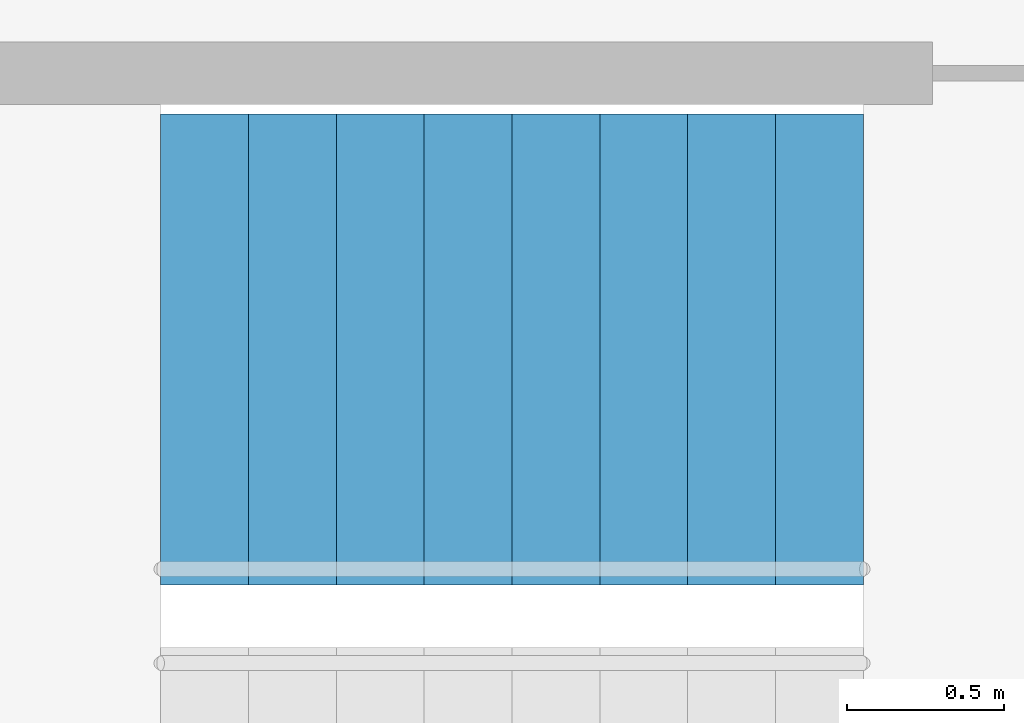
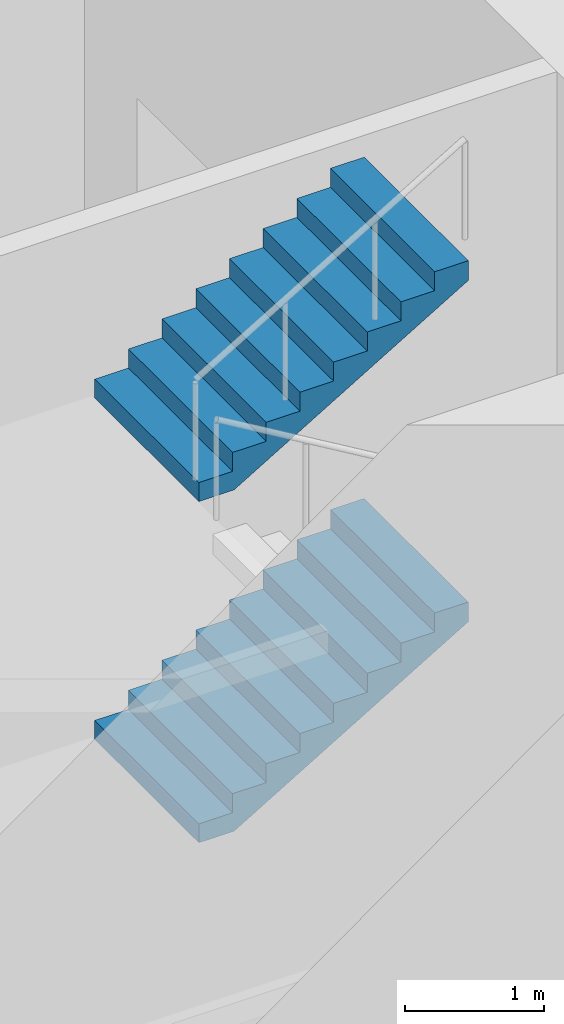
# One storey, part 18 of 21: 2 stair flights, 1 element without a shape of its own.
"""IFC4 building model written with IfcOpenShell, lengths in metres."""

from ifc_helpers import new_model, si_unit, direction, frame, origin, place, context, subcontext, project, spatial, triangles, material, type_object, element, aggregate, save


model = new_model("IFC4")

# Units and contexts
model_context = context("Model", 3, precision=1e-05, world=origin(), true_north=direction((0.0, 1.0)))
body_context = subcontext(model_context, "Body", "Model", "MODEL_VIEW")
ifc_project = project(units=[si_unit("LENGTHUNIT", "METRE"), si_unit("AREAUNIT", "SQUARE_METRE"), si_unit("VOLUMEUNIT", "CUBIC_METRE"), si_unit("PLANEANGLEUNIT", "RADIAN"), si_unit("MASSUNIT", "GRAM", prefix="KILO")], contexts=[model_context])

# Site, building, storey
site_placement = place(None, origin())
site = spatial("IfcSite", under=ifc_project, at=site_placement, CompositionType="ELEMENT")
building_placement = place(site_placement, origin())
building = spatial("IfcBuilding", under=site, at=building_placement, Name="Lantaw Convention Tower", CompositionType="ELEMENT")
storey_placement = place(building_placement, frame((0.0, 0.0, 111.39990234375)))
storey = spatial("IfcBuildingStorey", under=building, at=storey_placement, Name="L26", CompositionType="ELEMENT", Elevation=111.39990234375)

# Stair, stair flights
ifc_material = material(Name="Concrete C35/45", Category="concrete")
stair_type = type_object("IfcStairType", Name="Exit stair 1500 riser 166.67 in 4 flights", PredefinedType="HALF_TURN_STAIR", material=ifc_material)
stair_placement = place(storey_placement, origin())
stair = element("IfcStair", 1, at=stair_placement, inside=storey, type_object=stair_type, Name="Exit stair S2 L26", PredefinedType="HALF_TURN_STAIR")
stair_flight_type = type_object("IfcStairFlightType", Name="Stair flight 1500 riser 166.67", PredefinedType="STRAIGHT", material=ifc_material)
stair_flight_1_placement = place(storey_placement, frame((8.340087890625, -4.280029296875, 1.5), z_axis=(0.0, 0.0, 1.0), x_axis=(1.0, 0.0, 0.0)))
stair_flight_1 = element("IfcStairFlight", 2, at=stair_flight_1_placement, type_object=stair_flight_type, Name="S2 flight 2", NumberOfRisers=9, NumberOfTreads=8, PredefinedType="STRAIGHT", RiserHeight=0.166666667, TreadLength=0.28, context=body_context, shape_type="Tessellation", body=[
    triangles([(0.0, 0.75, 0.0), (0.0, 0.75, 0.166666667), (0.28, 0.75, 0.0), (0.28, 0.75, 0.166666667), (0.28, 0.75, 0.333333334), (0.2930734580690677, 0.75, 0.0), (0.2930734580690677, 0.75, 0.333333334), (0.56, 0.75, 0.1588848467052294), (0.56, 0.75, 0.333333334), (0.56, 0.75, 0.500000001), (0.8400000000000001, 0.75, 0.32555151370522933), (0.8400000000000001, 0.75, 0.500000001), (0.8400000000000001, 0.75, 0.666666668), (1.12, 0.75, 0.4922181807052293), (1.12, 0.75, 0.666666668), (1.12, 0.75, 0.833333335), (1.4000000000000001, 0.75, 0.6588848477052293), (1.4000000000000001, 0.75, 0.833333335), (1.4000000000000001, 0.75, 1.000000002), (1.6800000000000002, 0.75, 0.8255515147052293), (1.6800000000000002, 0.75, 1.000000002), (1.6800000000000002, 0.75, 1.166666669), (1.9600000000000002, 0.75, 0.9922181817052292), (1.9600000000000002, 0.75, 1.166666669), (1.9600000000000002, 0.75, 1.333333336), (2.24, 0.75, 1.1588848487052292), (2.24, 0.75, 1.333333336), (0.0, -0.75, 0.0), (0.0, -0.75, 0.166666667), (0.28, -0.75, 0.0), (0.28, -0.75, 0.166666667), (0.28, -0.75, 0.333333334), (0.2930734580690677, -0.75, 0.0), (0.2930734580690677, -0.75, 0.333333334), (0.56, -0.75, 0.1588848467052294), (0.56, -0.75, 0.333333334), (0.56, -0.75, 0.500000001), (0.8400000000000001, -0.75, 0.32555151370522933), (0.8400000000000001, -0.75, 0.500000001), (0.8400000000000001, -0.75, 0.666666668), (1.12, -0.75, 0.4922181807052293), (1.12, -0.75, 0.666666668), (1.12, -0.75, 0.833333335), (1.4000000000000001, -0.75, 0.6588848477052293), (1.4000000000000001, -0.75, 0.833333335), (1.4000000000000001, -0.75, 1.000000002), (1.6800000000000002, -0.75, 0.8255515147052293), (1.6800000000000002, -0.75, 1.000000002), (1.6800000000000002, -0.75, 1.166666669), (1.9600000000000002, -0.75, 0.9922181817052292), (1.9600000000000002, -0.75, 1.166666669), (1.9600000000000002, -0.75, 1.333333336), (2.24, -0.75, 1.1588848487052292), (2.24, -0.75, 1.333333336), (0.0, 0.15000000000000002, 0.166666667), (0.0, 0.15000000000000002, 0.0), (0.0, 0.0, 0.166666667), (0.0, 0.0, 0.0), (0.0, -0.15000000000000002, 0.166666667), (0.0, -0.15000000000000002, 0.0), (0.28, 0.15000000000000002, 0.333333334), (0.28, 0.15000000000000002, 0.166666667), (0.28, 0.0, 0.333333334), (0.28, 0.0, 0.166666667), (0.28, -0.15000000000000002, 0.333333334), (0.28, -0.15000000000000002, 0.166666667), (0.56, 0.15000000000000002, 0.500000001), (0.56, 0.15000000000000002, 0.333333334), (0.56, 0.0, 0.500000001), (0.56, 0.0, 0.333333334), (0.56, -0.15000000000000002, 0.500000001), (0.56, -0.15000000000000002, 0.333333334), (0.8400000000000001, 0.15000000000000002, 0.666666668), (0.8400000000000001, 0.15000000000000002, 0.500000001), (0.8400000000000001, 0.0, 0.666666668), (0.8400000000000001, 0.0, 0.500000001), (0.8400000000000001, -0.15000000000000002, 0.666666668), (0.8400000000000001, -0.15000000000000002, 0.500000001), (1.12, 0.15000000000000002, 0.833333335), (1.12, 0.15000000000000002, 0.666666668), (1.12, 0.0, 0.833333335), (1.12, 0.0, 0.666666668), (1.12, -0.15000000000000002, 0.833333335), (1.12, -0.15000000000000002, 0.666666668), (1.4000000000000001, 0.15000000000000002, 1.000000002), (1.4000000000000001, 0.15000000000000002, 0.833333335), (1.4000000000000001, 0.0, 1.000000002), (1.4000000000000001, 0.0, 0.833333335), (1.4000000000000001, -0.15000000000000002, 1.000000002), (1.4000000000000001, -0.15000000000000002, 0.833333335), (1.6800000000000002, 0.15000000000000002, 1.166666669), (1.6800000000000002, 0.15000000000000002, 1.000000002), (1.6800000000000002, 0.0, 1.166666669), (1.6800000000000002, 0.0, 1.000000002), (1.6800000000000002, -0.15000000000000002, 1.166666669), (1.6800000000000002, -0.15000000000000002, 1.000000002), (1.9600000000000002, 0.15000000000000002, 1.333333336), (1.9600000000000002, 0.15000000000000002, 1.166666669), (1.9600000000000002, 0.0, 1.333333336), (1.9600000000000002, 0.0, 1.166666669), (1.9600000000000002, -0.15000000000000002, 1.333333336), (1.9600000000000002, -0.15000000000000002, 1.166666669), (0.2930734580690677, 0.15000000000000002, 0.333333334), (0.2930734580690677, 0.0, 0.333333334), (0.2930734580690677, -0.15000000000000002, 0.333333334), (2.24, 0.15000000000000002, 1.333333336), (2.24, 0.0, 1.333333336), (2.24, -0.15000000000000002, 1.333333336), (2.24, 0.15000000000000002, 1.1588848487052292), (2.24, 0.0, 1.1588848487052292), (2.24, -0.15000000000000002, 1.1588848487052292), (1.9600000000000002, 0.15000000000000002, 0.9922181817052292), (1.9600000000000002, 0.0, 0.9922181817052292), (1.9600000000000002, -0.15000000000000002, 0.9922181817052292), (1.6800000000000002, 0.15000000000000002, 0.8255515147052293), (1.6800000000000002, 0.0, 0.8255515147052293), (1.6800000000000002, -0.15000000000000002, 0.8255515147052293), (1.4000000000000001, 0.15000000000000002, 0.6588848477052293), (1.4000000000000001, 0.0, 0.6588848477052293), (1.4000000000000001, -0.15000000000000002, 0.6588848477052293), (1.12, 0.15000000000000002, 0.4922181807052293), (1.12, 0.0, 0.4922181807052293), (1.12, -0.15000000000000002, 0.4922181807052293), (0.8400000000000001, 0.15000000000000002, 0.32555151370522933), (0.8400000000000001, 0.0, 0.32555151370522933), (0.8400000000000001, -0.15000000000000002, 0.32555151370522933), (0.56, 0.15000000000000002, 0.1588848467052294), (0.56, 0.0, 0.1588848467052294), (0.56, -0.15000000000000002, 0.1588848467052294), (0.2930734580690677, 0.15000000000000002, 0.0), (0.2930734580690677, 0.0, 0.0), (0.2930734580690677, -0.15000000000000002, 0.0), (0.28, 0.15000000000000002, 0.0), (0.28, 0.0, 0.0), (0.28, -0.15000000000000002, 0.0)], [[1, 4, 3], [1, 2, 4], [3, 4, 6], [4, 7, 6], [4, 5, 7], [6, 9, 8], [6, 7, 9], [8, 9, 11], [9, 12, 11], [9, 10, 12], [11, 12, 14], [12, 15, 14], [12, 13, 15], [14, 15, 17], [15, 18, 17], [15, 16, 18], [17, 18, 20], [18, 21, 20], [18, 19, 21], [20, 21, 23], [21, 24, 23], [21, 22, 24], [23, 24, 26], [24, 27, 26], [24, 25, 27], [28, 30, 31], [28, 31, 29], [30, 33, 31], [31, 33, 34], [31, 34, 32], [33, 35, 36], [33, 36, 34], [35, 38, 36], [36, 38, 39], [36, 39, 37], [38, 41, 39], [39, 41, 42], [39, 42, 40], [41, 44, 42], [42, 44, 45], [42, 45, 43], [44, 47, 45], [45, 47, 48], [45, 48, 46], [47, 50, 48], [48, 50, 51], [48, 51, 49], [50, 53, 51], [51, 53, 54], [51, 54, 52], [1, 55, 2], [1, 56, 55], [56, 57, 55], [56, 58, 57], [58, 59, 57], [58, 60, 59], [60, 29, 59], [60, 28, 29], [4, 61, 5], [4, 62, 61], [62, 63, 61], [62, 64, 63], [64, 65, 63], [64, 66, 65], [66, 32, 65], [66, 31, 32], [9, 67, 10], [9, 68, 67], [68, 69, 67], [68, 70, 69], [70, 71, 69], [70, 72, 71], [72, 37, 71], [72, 36, 37], [12, 73, 13], [12, 74, 73], [74, 75, 73], [74, 76, 75], [76, 77, 75], [76, 78, 77], [78, 40, 77], [78, 39, 40], [15, 79, 16], [15, 80, 79], [80, 81, 79], [80, 82, 81], [82, 83, 81], [82, 84, 83], [84, 43, 83], [84, 42, 43], [18, 85, 19], [18, 86, 85], [86, 87, 85], [86, 88, 87], [88, 89, 87], [88, 90, 89], [90, 46, 89], [90, 45, 46], [21, 91, 22], [21, 92, 91], [92, 93, 91], [92, 94, 93], [94, 95, 93], [94, 96, 95], [96, 49, 95], [96, 48, 49], [24, 97, 25], [24, 98, 97], [98, 99, 97], [98, 100, 99], [100, 101, 99], [100, 102, 101], [102, 52, 101], [102, 51, 52], [2, 62, 4], [2, 55, 62], [55, 64, 62], [55, 57, 64], [57, 66, 64], [57, 59, 66], [59, 31, 66], [59, 29, 31], [5, 103, 7], [5, 61, 103], [61, 104, 103], [61, 63, 104], [63, 105, 104], [63, 65, 105], [65, 34, 105], [65, 32, 34], [7, 68, 9], [7, 103, 68], [103, 70, 68], [103, 104, 70], [104, 72, 70], [104, 105, 72], [105, 36, 72], [105, 34, 36], [10, 74, 12], [10, 67, 74], [67, 76, 74], [67, 69, 76], [69, 78, 76], [69, 71, 78], [71, 39, 78], [71, 37, 39], [13, 80, 15], [13, 73, 80], [73, 82, 80], [73, 75, 82], [75, 84, 82], [75, 77, 84], [77, 42, 84], [77, 40, 42], [16, 86, 18], [16, 79, 86], [79, 88, 86], [79, 81, 88], [81, 90, 88], [81, 83, 90], [83, 45, 90], [83, 43, 45], [19, 92, 21], [19, 85, 92], [85, 94, 92], [85, 87, 94], [87, 96, 94], [87, 89, 96], [89, 48, 96], [89, 46, 48], [22, 98, 24], [22, 91, 98], [91, 100, 98], [91, 93, 100], [93, 102, 100], [93, 95, 102], [95, 51, 102], [95, 49, 51], [25, 106, 27], [25, 97, 106], [97, 107, 106], [97, 99, 107], [99, 108, 107], [99, 101, 108], [101, 54, 108], [101, 52, 54], [27, 109, 26], [27, 106, 109], [106, 110, 109], [106, 107, 110], [107, 111, 110], [107, 108, 111], [108, 53, 111], [108, 54, 53], [26, 112, 23], [26, 109, 112], [109, 113, 112], [109, 110, 113], [110, 114, 113], [110, 111, 114], [111, 50, 114], [111, 53, 50], [23, 115, 20], [23, 112, 115], [112, 116, 115], [112, 113, 116], [113, 117, 116], [113, 114, 117], [114, 47, 117], [114, 50, 47], [20, 118, 17], [20, 115, 118], [115, 119, 118], [115, 116, 119], [116, 120, 119], [116, 117, 120], [117, 44, 120], [117, 47, 44], [17, 121, 14], [17, 118, 121], [118, 122, 121], [118, 119, 122], [119, 123, 122], [119, 120, 123], [120, 41, 123], [120, 44, 41], [14, 124, 11], [14, 121, 124], [121, 125, 124], [121, 122, 125], [122, 126, 125], [122, 123, 126], [123, 38, 126], [123, 41, 38], [11, 127, 8], [11, 124, 127], [124, 128, 127], [124, 125, 128], [125, 129, 128], [125, 126, 129], [126, 35, 129], [126, 38, 35], [8, 130, 6], [8, 127, 130], [127, 131, 130], [127, 128, 131], [128, 132, 131], [128, 129, 132], [129, 33, 132], [129, 35, 33], [6, 133, 3], [6, 130, 133], [130, 134, 133], [130, 131, 134], [131, 135, 134], [131, 132, 135], [132, 30, 135], [132, 33, 30], [3, 56, 1], [3, 133, 56], [133, 58, 56], [133, 134, 58], [134, 60, 58], [134, 135, 60], [135, 28, 60], [135, 30, 28]], closed=True),
])
stair_flight_2_placement = place(storey_placement, frame((8.340087890625, -4.280029296875, 4.5), z_axis=(0.0, 0.0, 1.0), x_axis=(1.0, 0.0, 0.0)))
stair_flight_2 = element("IfcStairFlight", 3, at=stair_flight_2_placement, type_object=stair_flight_type, Name="S2 flight 4", NumberOfRisers=9, NumberOfTreads=8, PredefinedType="STRAIGHT", RiserHeight=0.166666667, TreadLength=0.28, context=body_context, shape_type="Tessellation", body=[
    triangles([(0.0, 0.75, 0.0), (0.0, 0.75, 0.166666667), (0.28, 0.75, 0.0), (0.28, 0.75, 0.166666667), (0.28, 0.75, 0.333333334), (0.2930734580690677, 0.75, 0.0), (0.2930734580690677, 0.75, 0.333333334), (0.56, 0.75, 0.1588848467052294), (0.56, 0.75, 0.333333334), (0.56, 0.75, 0.500000001), (0.8400000000000001, 0.75, 0.32555151370522933), (0.8400000000000001, 0.75, 0.500000001), (0.8400000000000001, 0.75, 0.666666668), (1.12, 0.75, 0.4922181807052293), (1.12, 0.75, 0.666666668), (1.12, 0.75, 0.833333335), (1.4000000000000001, 0.75, 0.6588848477052293), (1.4000000000000001, 0.75, 0.833333335), (1.4000000000000001, 0.75, 1.000000002), (1.6800000000000002, 0.75, 0.8255515147052293), (1.6800000000000002, 0.75, 1.000000002), (1.6800000000000002, 0.75, 1.166666669), (1.9600000000000002, 0.75, 0.9922181817052292), (1.9600000000000002, 0.75, 1.166666669), (1.9600000000000002, 0.75, 1.333333336), (2.24, 0.75, 1.1588848487052292), (2.24, 0.75, 1.333333336), (0.0, -0.75, 0.0), (0.0, -0.75, 0.166666667), (0.28, -0.75, 0.0), (0.28, -0.75, 0.166666667), (0.28, -0.75, 0.333333334), (0.2930734580690677, -0.75, 0.0), (0.2930734580690677, -0.75, 0.333333334), (0.56, -0.75, 0.1588848467052294), (0.56, -0.75, 0.333333334), (0.56, -0.75, 0.500000001), (0.8400000000000001, -0.75, 0.32555151370522933), (0.8400000000000001, -0.75, 0.500000001), (0.8400000000000001, -0.75, 0.666666668), (1.12, -0.75, 0.4922181807052293), (1.12, -0.75, 0.666666668), (1.12, -0.75, 0.833333335), (1.4000000000000001, -0.75, 0.6588848477052293), (1.4000000000000001, -0.75, 0.833333335), (1.4000000000000001, -0.75, 1.000000002), (1.6800000000000002, -0.75, 0.8255515147052293), (1.6800000000000002, -0.75, 1.000000002), (1.6800000000000002, -0.75, 1.166666669), (1.9600000000000002, -0.75, 0.9922181817052292), (1.9600000000000002, -0.75, 1.166666669), (1.9600000000000002, -0.75, 1.333333336), (2.24, -0.75, 1.1588848487052292), (2.24, -0.75, 1.333333336), (0.0, 0.15000000000000002, 0.166666667), (0.0, 0.15000000000000002, 0.0), (0.0, 0.0, 0.166666667), (0.0, 0.0, 0.0), (0.0, -0.15000000000000002, 0.166666667), (0.0, -0.15000000000000002, 0.0), (0.28, 0.15000000000000002, 0.333333334), (0.28, 0.15000000000000002, 0.166666667), (0.28, 0.0, 0.333333334), (0.28, 0.0, 0.166666667), (0.28, -0.15000000000000002, 0.333333334), (0.28, -0.15000000000000002, 0.166666667), (0.56, 0.15000000000000002, 0.500000001), (0.56, 0.15000000000000002, 0.333333334), (0.56, 0.0, 0.500000001), (0.56, 0.0, 0.333333334), (0.56, -0.15000000000000002, 0.500000001), (0.56, -0.15000000000000002, 0.333333334), (0.8400000000000001, 0.15000000000000002, 0.666666668), (0.8400000000000001, 0.15000000000000002, 0.500000001), (0.8400000000000001, 0.0, 0.666666668), (0.8400000000000001, 0.0, 0.500000001), (0.8400000000000001, -0.15000000000000002, 0.666666668), (0.8400000000000001, -0.15000000000000002, 0.500000001), (1.12, 0.15000000000000002, 0.833333335), (1.12, 0.15000000000000002, 0.666666668), (1.12, 0.0, 0.833333335), (1.12, 0.0, 0.666666668), (1.12, -0.15000000000000002, 0.833333335), (1.12, -0.15000000000000002, 0.666666668), (1.4000000000000001, 0.15000000000000002, 1.000000002), (1.4000000000000001, 0.15000000000000002, 0.833333335), (1.4000000000000001, 0.0, 1.000000002), (1.4000000000000001, 0.0, 0.833333335), (1.4000000000000001, -0.15000000000000002, 1.000000002), (1.4000000000000001, -0.15000000000000002, 0.833333335), (1.6800000000000002, 0.15000000000000002, 1.166666669), (1.6800000000000002, 0.15000000000000002, 1.000000002), (1.6800000000000002, 0.0, 1.166666669), (1.6800000000000002, 0.0, 1.000000002), (1.6800000000000002, -0.15000000000000002, 1.166666669), (1.6800000000000002, -0.15000000000000002, 1.000000002), (1.9600000000000002, 0.15000000000000002, 1.333333336), (1.9600000000000002, 0.15000000000000002, 1.166666669), (1.9600000000000002, 0.0, 1.333333336), (1.9600000000000002, 0.0, 1.166666669), (1.9600000000000002, -0.15000000000000002, 1.333333336), (1.9600000000000002, -0.15000000000000002, 1.166666669), (0.2930734580690677, 0.15000000000000002, 0.333333334), (0.2930734580690677, 0.0, 0.333333334), (0.2930734580690677, -0.15000000000000002, 0.333333334), (2.24, 0.15000000000000002, 1.333333336), (2.24, 0.0, 1.333333336), (2.24, -0.15000000000000002, 1.333333336), (2.24, 0.15000000000000002, 1.1588848487052292), (2.24, 0.0, 1.1588848487052292), (2.24, -0.15000000000000002, 1.1588848487052292), (1.9600000000000002, 0.15000000000000002, 0.9922181817052292), (1.9600000000000002, 0.0, 0.9922181817052292), (1.9600000000000002, -0.15000000000000002, 0.9922181817052292), (1.6800000000000002, 0.15000000000000002, 0.8255515147052293), (1.6800000000000002, 0.0, 0.8255515147052293), (1.6800000000000002, -0.15000000000000002, 0.8255515147052293), (1.4000000000000001, 0.15000000000000002, 0.6588848477052293), (1.4000000000000001, 0.0, 0.6588848477052293), (1.4000000000000001, -0.15000000000000002, 0.6588848477052293), (1.12, 0.15000000000000002, 0.4922181807052293), (1.12, 0.0, 0.4922181807052293), (1.12, -0.15000000000000002, 0.4922181807052293), (0.8400000000000001, 0.15000000000000002, 0.32555151370522933), (0.8400000000000001, 0.0, 0.32555151370522933), (0.8400000000000001, -0.15000000000000002, 0.32555151370522933), (0.56, 0.15000000000000002, 0.1588848467052294), (0.56, 0.0, 0.1588848467052294), (0.56, -0.15000000000000002, 0.1588848467052294), (0.2930734580690677, 0.15000000000000002, 0.0), (0.2930734580690677, 0.0, 0.0), (0.2930734580690677, -0.15000000000000002, 0.0), (0.28, 0.15000000000000002, 0.0), (0.28, 0.0, 0.0), (0.28, -0.15000000000000002, 0.0)], [[1, 4, 3], [1, 2, 4], [3, 4, 6], [4, 7, 6], [4, 5, 7], [6, 9, 8], [6, 7, 9], [8, 9, 11], [9, 12, 11], [9, 10, 12], [11, 12, 14], [12, 15, 14], [12, 13, 15], [14, 15, 17], [15, 18, 17], [15, 16, 18], [17, 18, 20], [18, 21, 20], [18, 19, 21], [20, 21, 23], [21, 24, 23], [21, 22, 24], [23, 24, 26], [24, 27, 26], [24, 25, 27], [28, 30, 31], [28, 31, 29], [30, 33, 31], [31, 33, 34], [31, 34, 32], [33, 35, 36], [33, 36, 34], [35, 38, 36], [36, 38, 39], [36, 39, 37], [38, 41, 39], [39, 41, 42], [39, 42, 40], [41, 44, 42], [42, 44, 45], [42, 45, 43], [44, 47, 45], [45, 47, 48], [45, 48, 46], [47, 50, 48], [48, 50, 51], [48, 51, 49], [50, 53, 51], [51, 53, 54], [51, 54, 52], [1, 55, 2], [1, 56, 55], [56, 57, 55], [56, 58, 57], [58, 59, 57], [58, 60, 59], [60, 29, 59], [60, 28, 29], [4, 61, 5], [4, 62, 61], [62, 63, 61], [62, 64, 63], [64, 65, 63], [64, 66, 65], [66, 32, 65], [66, 31, 32], [9, 67, 10], [9, 68, 67], [68, 69, 67], [68, 70, 69], [70, 71, 69], [70, 72, 71], [72, 37, 71], [72, 36, 37], [12, 73, 13], [12, 74, 73], [74, 75, 73], [74, 76, 75], [76, 77, 75], [76, 78, 77], [78, 40, 77], [78, 39, 40], [15, 79, 16], [15, 80, 79], [80, 81, 79], [80, 82, 81], [82, 83, 81], [82, 84, 83], [84, 43, 83], [84, 42, 43], [18, 85, 19], [18, 86, 85], [86, 87, 85], [86, 88, 87], [88, 89, 87], [88, 90, 89], [90, 46, 89], [90, 45, 46], [21, 91, 22], [21, 92, 91], [92, 93, 91], [92, 94, 93], [94, 95, 93], [94, 96, 95], [96, 49, 95], [96, 48, 49], [24, 97, 25], [24, 98, 97], [98, 99, 97], [98, 100, 99], [100, 101, 99], [100, 102, 101], [102, 52, 101], [102, 51, 52], [2, 62, 4], [2, 55, 62], [55, 64, 62], [55, 57, 64], [57, 66, 64], [57, 59, 66], [59, 31, 66], [59, 29, 31], [5, 103, 7], [5, 61, 103], [61, 104, 103], [61, 63, 104], [63, 105, 104], [63, 65, 105], [65, 34, 105], [65, 32, 34], [7, 68, 9], [7, 103, 68], [103, 70, 68], [103, 104, 70], [104, 72, 70], [104, 105, 72], [105, 36, 72], [105, 34, 36], [10, 74, 12], [10, 67, 74], [67, 76, 74], [67, 69, 76], [69, 78, 76], [69, 71, 78], [71, 39, 78], [71, 37, 39], [13, 80, 15], [13, 73, 80], [73, 82, 80], [73, 75, 82], [75, 84, 82], [75, 77, 84], [77, 42, 84], [77, 40, 42], [16, 86, 18], [16, 79, 86], [79, 88, 86], [79, 81, 88], [81, 90, 88], [81, 83, 90], [83, 45, 90], [83, 43, 45], [19, 92, 21], [19, 85, 92], [85, 94, 92], [85, 87, 94], [87, 96, 94], [87, 89, 96], [89, 48, 96], [89, 46, 48], [22, 98, 24], [22, 91, 98], [91, 100, 98], [91, 93, 100], [93, 102, 100], [93, 95, 102], [95, 51, 102], [95, 49, 51], [25, 106, 27], [25, 97, 106], [97, 107, 106], [97, 99, 107], [99, 108, 107], [99, 101, 108], [101, 54, 108], [101, 52, 54], [27, 109, 26], [27, 106, 109], [106, 110, 109], [106, 107, 110], [107, 111, 110], [107, 108, 111], [108, 53, 111], [108, 54, 53], [26, 112, 23], [26, 109, 112], [109, 113, 112], [109, 110, 113], [110, 114, 113], [110, 111, 114], [111, 50, 114], [111, 53, 50], [23, 115, 20], [23, 112, 115], [112, 116, 115], [112, 113, 116], [113, 117, 116], [113, 114, 117], [114, 47, 117], [114, 50, 47], [20, 118, 17], [20, 115, 118], [115, 119, 118], [115, 116, 119], [116, 120, 119], [116, 117, 120], [117, 44, 120], [117, 47, 44], [17, 121, 14], [17, 118, 121], [118, 122, 121], [118, 119, 122], [119, 123, 122], [119, 120, 123], [120, 41, 123], [120, 44, 41], [14, 124, 11], [14, 121, 124], [121, 125, 124], [121, 122, 125], [122, 126, 125], [122, 123, 126], [123, 38, 126], [123, 41, 38], [11, 127, 8], [11, 124, 127], [124, 128, 127], [124, 125, 128], [125, 129, 128], [125, 126, 129], [126, 35, 129], [126, 38, 35], [8, 130, 6], [8, 127, 130], [127, 131, 130], [127, 128, 131], [128, 132, 131], [128, 129, 132], [129, 33, 132], [129, 35, 33], [6, 133, 3], [6, 130, 133], [130, 134, 133], [130, 131, 134], [131, 135, 134], [131, 132, 135], [132, 30, 135], [132, 33, 30], [3, 56, 1], [3, 133, 56], [133, 58, 56], [133, 134, 58], [134, 60, 58], [134, 135, 60], [135, 28, 60], [135, 30, 28]], closed=True),
])
aggregate(stair, [stair_flight_1, stair_flight_2])

save(model, "model.ifc")
